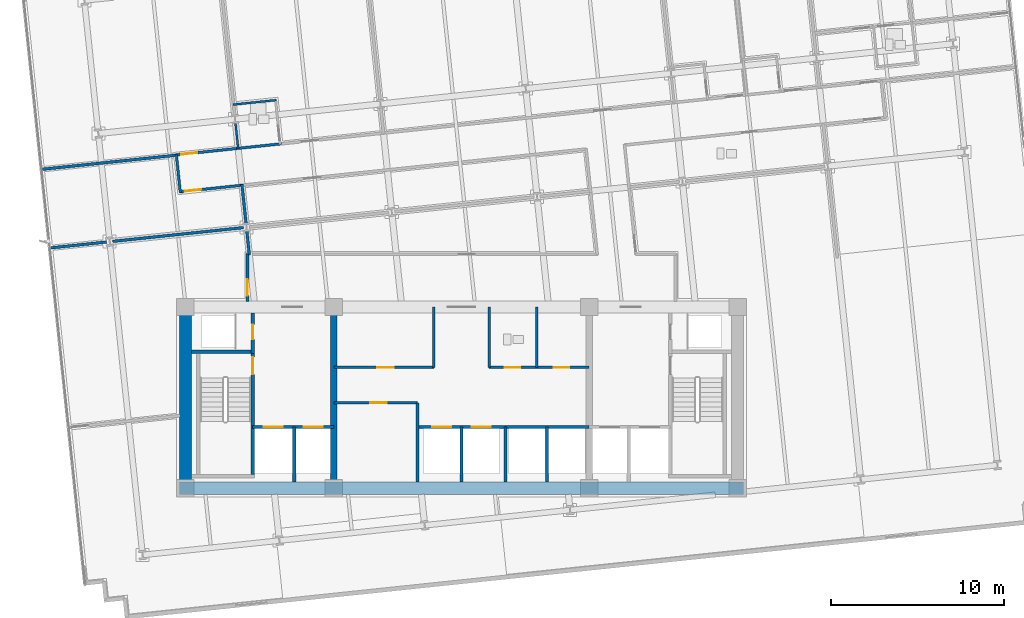
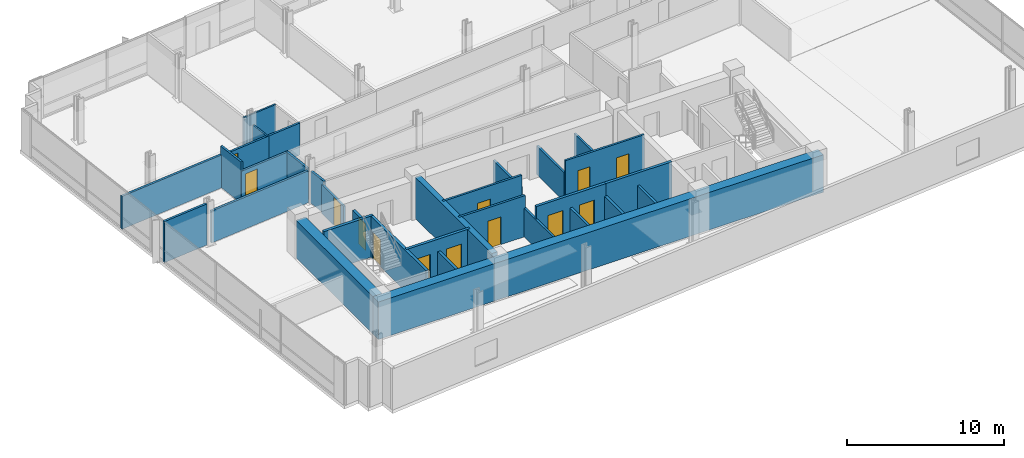
# One storey, part 13 of 20: 32 walls, 13 doors, 13 openings.
"""IFC4 building model written with IfcOpenShell, lengths in metres."""

from ifc_helpers import new_model, si_unit, direction, frame, frame_2d, origin, place, context, subcontext, project, spatial, rectangle, extrude, material, layer, layer_set, type_object, element, fill, save


model = new_model("IFC4")

# Units and contexts
model_context = context("Model", 3, precision=1e-05, world=origin(), true_north=direction((0.0, 1.0)))
body_context = subcontext(model_context, "Body", "Model", "MODEL_VIEW")
ifc_project = project(units=[si_unit("LENGTHUNIT", "METRE"), si_unit("AREAUNIT", "SQUARE_METRE"), si_unit("VOLUMEUNIT", "CUBIC_METRE"), si_unit("PLANEANGLEUNIT", "RADIAN"), si_unit("MASSUNIT", "GRAM", prefix="KILO")], contexts=[model_context])

# Site, building, storey
site_placement = place(None, origin())
site = spatial("IfcSite", under=ifc_project, at=site_placement, CompositionType="ELEMENT")
building_placement = place(site_placement, origin())
building = spatial("IfcBuilding", under=site, at=building_placement, Name="Solmavex Isthmus Hotel", CompositionType="ELEMENT")
storey_placement = place(building_placement, frame((0.0, 0.0, 109.800048828125)))
storey = spatial("IfcBuildingStorey", under=building, at=storey_placement, Name="L29", CompositionType="ELEMENT", Elevation=109.800048828125)

# Wall, opening, door
ifc_material_1 = material(Name="Gypsum plasterboard lining", Category="gypsum")
ifc_layer_1 = layer(ifc_material_1, 0.159912109375)
ifc_layer_set_1 = layer_set([ifc_layer_1], Name="Gypsum plasterboard lining")
wall_type_1 = type_object("IfcWallType", Name="IW-COMP-160", PredefinedType="PARTITIONING", material=ifc_layer_set_1)
wall_1_placement = place(storey_placement, frame((-7.39990234375, -8.050048828125, 0.0), z_axis=(0.0, 0.0, 1.0), x_axis=(1.0, 0.0, 0.0)))
wall_1 = element("IfcWall", 1, at=wall_1_placement, inside=storey, type_object=wall_type_1, Name="Interior Partition Wall W-L29-REC-PLL-N", PredefinedType="PARTITIONING", context=body_context, shape_type="SweptSolid", body=[
    extrude(rectangle(XDim=4.849853515625, YDim=0.159912109375, at=frame_2d((2.4248046875, 0.0))), origin(), (0.0, 0.0, 1.0), 3.18994140625),
])
opening_1_placement = place(wall_1_placement, frame((2.125, 0.0, 0.0)))
opening_1 = element("IfcOpeningElement", 2, at=opening_1_placement, cuts=wall_1, Name="Opening ID-C095", PredefinedType="OPENING", context=body_context, shape_type="SweptSolid", body=[
    extrude(rectangle(XDim=0.949951171875, YDim=2.14990234375, at=frame_2d((0.47509765625, 1.074951171875))), frame((0.0, 0.08984375, 0.0), z_axis=(0.0, -1.0, 0.0), x_axis=(1.0, 0.0, 0.0)), (0.0, 0.0, 1.0), 0.179931640625),
])
ifc_material_2 = material(Name="Hardwood timber", Category="wood")
door_type_1 = type_object("IfcDoorType", Name="IDR-FD60-0950", OperationType="NOTDEFINED", PredefinedType="DOOR", material=ifc_material_2)
door_1_placement = place(opening_1_placement, origin())
door_1 = element("IfcDoor", 3, at=door_1_placement, inside=storey, type_object=door_type_1, Name="Linen Reserve Door L29", OperationType="SINGLE_SWING_LEFT", OverallHeight=2.14990234375, OverallWidth=0.949951171875, PredefinedType="DOOR", context=body_context, shape_type="SweptSolid", body=[
    extrude(rectangle(XDim=0.949951171875, YDim=2.14990234375, at=frame_2d((0.47509765625, 1.074951171875))), frame((0.0, 0.02490234375, 0.0), z_axis=(0.0, -1.0, 0.0), x_axis=(1.0, 0.0, 0.0)), (0.0, 0.0, 1.0), 0.050048828125),
])
fill(opening_1, door_1)

# Walls
wall_2_placement = place(storey_placement, frame((-2.550048828125, -12.64990234375, 0.0), z_axis=(0.0, 0.0, 1.0), x_axis=(0.0, 1.0, 0.0)))
element("IfcWall", 4, at=wall_2_placement, inside=storey, type_object=wall_type_1, Name="Interior Partition Wall W-L29-REC-PLL-E", PredefinedType="PARTITIONING", context=body_context, shape_type="SweptSolid", body=[
    extrude(rectangle(XDim=4.599853515625, YDim=0.159912109375, at=frame_2d((2.2998046875, 0.0))), origin(), (0.0, 0.0, 1.0), 2.224853515625),
])
wall_3_placement = place(storey_placement, frame((-16.47802734375, 6.301513671875, 0.0), z_axis=(0.0, 0.0, 1.0), x_axis=(-0.994519786396, -0.104548526856, 0.0)))
element("IfcWall", 5, at=wall_3_placement, inside=storey, type_object=wall_type_1, Name="Interior Partition Wall W-L29-P027", PredefinedType="PARTITIONING", context=body_context, shape_type="SweptSolid", body=[
    extrude(rectangle(XDim=7.927978515625, YDim=0.159912109375, at=frame_2d((3.9638671875, 0.0))), origin(), (0.0, 0.0, 1.0), 2.55322265625),
])
wall_4_placement = place(storey_placement, frame((-12.718994140625, 4.594970703125, 0.0), z_axis=(0.0, 0.0, 1.0), x_axis=(0.104569435529, -0.994517588157, 0.0)))
element("IfcWall", 6, at=wall_4_placement, inside=storey, type_object=wall_type_1, Name="Interior Partition Wall W-L29-P057", PredefinedType="PARTITIONING", context=body_context, shape_type="SweptSolid", body=[
    extrude(rectangle(XDim=2.313720703125, YDim=0.159912109375, at=frame_2d((1.15673828125, 0.0))), origin(), (0.0, 0.0, 1.0), 2.4794921875),
])
wall_5_placement = place(storey_placement, frame((-20.558349609375, 1.267333984375, 0.0), z_axis=(0.0, 0.0, 1.0), x_axis=(-0.99451904707, -0.10455555946, 0.0)))
element("IfcWall", 7, at=wall_5_placement, inside=storey, type_object=wall_type_1, Name="Interior Partition Wall W-L29-P058", PredefinedType="PARTITIONING", context=body_context, shape_type="SweptSolid", body=[
    extrude(rectangle(XDim=3.34375, YDim=0.159912109375, at=frame_2d((1.671875, 0.0))), origin(), (0.0, 0.0, 1.0), 3.18994140625),
])
wall_6_placement = place(storey_placement, frame((-12.634033203125, 2.10009765625, 0.0), z_axis=(0.0, 0.0, 1.0), x_axis=(-0.994524056968, -0.104507894972, 0.0)))
element("IfcWall", 8, at=wall_6_placement, inside=storey, type_object=wall_type_1, Name="Interior Partition Wall W-L29-P059", PredefinedType="PARTITIONING", context=body_context, shape_type="SweptSolid", body=[
    extrude(rectangle(XDim=7.61572265625, YDim=0.159912109375, at=frame_2d((3.807861328125, 0.0))), origin(), (0.0, 0.0, 1.0), 2.4794921875),
])
wall_7_placement = place(storey_placement, frame((-12.289794921875, 0.51025390625, 0.0), z_axis=(0.0, 0.0, 1.0), x_axis=(-0.104534854339, 0.994521223619, 0.0)))
element("IfcWall", 9, at=wall_7_placement, inside=storey, type_object=wall_type_1, Name="Interior Partition Wall W-L29-P063", PredefinedType="PARTITIONING", context=body_context, shape_type="SweptSolid", body=[
    extrude(rectangle(XDim=1.44091796875, YDim=0.159912109375, at=frame_2d((0.720458984375, 0.0))), origin(), (0.0, 0.0, 1.0), 2.4794921875),
])

# Wall, opening, door
ifc_layer_2 = layer(ifc_material_1, 0.14990234375)
ifc_layer_set_2 = layer_set([ifc_layer_2], Name="Gypsum plasterboard lining")
wall_type_2 = type_object("IfcWallType", Name="IW-CORR-150", PredefinedType="PARTITIONING", material=ifc_layer_set_2)
wall_8_placement = place(storey_placement, frame((-7.39990234375, -6.0, 0.0), z_axis=(0.0, 0.0, 1.0), x_axis=(1.0, 0.0, 0.0)))
wall_8 = element("IfcWall", 10, at=wall_8_placement, inside=storey, type_object=wall_type_2, Name="Interior Partition Wall W-L29-BOH-WS", PredefinedType="PARTITIONING", context=body_context, shape_type="SweptSolid", body=[
    extrude(rectangle(XDim=5.7998046875, YDim=0.14990234375, at=frame_2d((2.89990234375, 0.0))), origin(), (0.0, 0.0, 1.0), 3.18994140625),
])
opening_2_placement = place(wall_8_placement, frame((2.52490234375, 0.0, 0.0)))
opening_2 = element("IfcOpeningElement", 11, at=opening_2_placement, cuts=wall_8, Name="Opening ID-C095", PredefinedType="OPENING", context=body_context, shape_type="SweptSolid", body=[
    extrude(rectangle(XDim=0.949951171875, YDim=2.14990234375, at=frame_2d((0.47509765625, 1.074951171875))), frame((0.0, 0.0849609375, 0.0), z_axis=(0.0, -1.0, 0.0), x_axis=(1.0, 0.0, 0.0)), (0.0, 0.0, 1.0), 0.169921875),
])
door_2_placement = place(opening_2_placement, frame((0.949951171875, 0.0, 0.0), z_axis=(0.0, 0.0, 1.0), x_axis=(-1.0, 0.0, 0.0)))
door_2 = element("IfcDoor", 12, at=door_2_placement, inside=storey, type_object=door_type_1, Name="Housekeeping Room Door L29", OperationType="SINGLE_SWING_LEFT", OverallHeight=2.14990234375, OverallWidth=0.949951171875, PredefinedType="DOOR", context=body_context, shape_type="SweptSolid", body=[
    extrude(rectangle(XDim=0.949951171875, YDim=2.14990234375, at=frame_2d((0.47509765625, 1.074951171875))), frame((0.0, 0.02490234375, 0.0), z_axis=(0.0, -1.0, 0.0), x_axis=(1.0, 0.0, 0.0)), (0.0, 0.0, 1.0), 0.050048828125),
])
fill(opening_2, door_2)

# Wall
wall_9_placement = place(storey_placement, frame((-1.60009765625, -6.0, 0.0), z_axis=(0.0, 0.0, 1.0), x_axis=(0.0, 1.0, 0.0)))
element("IfcWall", 13, at=wall_9_placement, inside=storey, type_object=wall_type_2, Name="Interior Partition Wall W-L29-BOH-WE", PredefinedType="PARTITIONING", context=body_context, shape_type="SweptSolid", body=[
    extrude(rectangle(XDim=3.5, YDim=0.14990234375, at=frame_2d((1.75, 0.0))), origin(), (0.0, 0.0, 1.0), 2.224853515625),
])

# Wall, openings, doors
wall_10_placement = place(storey_placement, frame((1.60009765625, -6.0, 0.0), z_axis=(0.0, 0.0, 1.0), x_axis=(1.0, 0.0, 0.0)))
wall_10 = element("IfcWall", 14, at=wall_10_placement, inside=storey, type_object=wall_type_2, Name="Interior Partition Wall W-L29-BOH-ES", PredefinedType="PARTITIONING", context=body_context, shape_type="SweptSolid", body=[
    extrude(rectangle(XDim=5.7998046875, YDim=0.14990234375, at=frame_2d((2.89990234375, 0.0))), origin(), (0.0, 0.0, 1.0), 3.18994140625),
])
opening_3_placement = place(wall_10_placement, frame((0.89990234375, 0.0, 0.0)))
opening_3 = element("IfcOpeningElement", 15, at=opening_3_placement, cuts=wall_10, Name="Opening ID-C090", PredefinedType="OPENING", context=body_context, shape_type="SweptSolid", body=[
    extrude(rectangle(XDim=0.89990234375, YDim=2.10009765625, at=frame_2d((0.449951171875, 1.050048828125))), frame((0.0, 0.0849609375, 0.0), z_axis=(0.0, -1.0, 0.0), x_axis=(1.0, 0.0, 0.0)), (0.0, 0.0, 1.0), 0.169921875),
])
opening_4_placement = place(wall_10_placement, frame((3.75, 0.0, 0.0)))
opening_4 = element("IfcOpeningElement", 16, at=opening_4_placement, cuts=wall_10, Name="Opening ID-C090", PredefinedType="OPENING", context=body_context, shape_type="SweptSolid", body=[
    extrude(rectangle(XDim=0.89990234375, YDim=2.10009765625, at=frame_2d((0.449951171875, 1.050048828125))), frame((0.0, 0.0849609375, 0.0), z_axis=(0.0, -1.0, 0.0), x_axis=(1.0, 0.0, 0.0)), (0.0, 0.0, 1.0), 0.169921875),
])
door_type_2 = type_object("IfcDoorType", Name="IDR-FD60-0900", OperationType="NOTDEFINED", PredefinedType="DOOR", material=ifc_material_2)
door_3_placement = place(opening_3_placement, frame((0.89990234375, 0.0, 0.0), z_axis=(0.0, 0.0, 1.0), x_axis=(-1.0, 0.0, 0.0)))
door_3 = element("IfcDoor", 17, at=door_3_placement, inside=storey, type_object=door_type_2, Name="Staff WC Door L29", OperationType="SINGLE_SWING_RIGHT", OverallHeight=2.10009765625, OverallWidth=0.89990234375, PredefinedType="DOOR", context=body_context, shape_type="SweptSolid", body=[
    extrude(rectangle(XDim=0.89990234375, YDim=2.10009765625, at=frame_2d((0.449951171875, 1.050048828125))), frame((0.0, 0.02490234375, 0.0), z_axis=(0.0, -1.0, 0.0), x_axis=(1.0, 0.0, 0.0)), (0.0, 0.0, 1.0), 0.050048828125),
])
fill(opening_3, door_3)
door_4_placement = place(opening_4_placement, frame((0.89990234375, 0.0, 0.0), z_axis=(0.0, 0.0, 1.0), x_axis=(-1.0, 0.0, 0.0)))
door_4 = element("IfcDoor", 18, at=door_4_placement, inside=storey, type_object=door_type_2, Name="Pantry Door L29", OperationType="SINGLE_SWING_LEFT", OverallHeight=2.10009765625, OverallWidth=0.89990234375, PredefinedType="DOOR", context=body_context, shape_type="SweptSolid", body=[
    extrude(rectangle(XDim=0.89990234375, YDim=2.10009765625, at=frame_2d((0.449951171875, 1.050048828125))), frame((0.0, 0.02490234375, 0.0), z_axis=(0.0, -1.0, 0.0), x_axis=(1.0, 0.0, 0.0)), (0.0, 0.0, 1.0), 0.050048828125),
])
fill(opening_4, door_4)

# Wall
wall_11_placement = place(storey_placement, frame((1.60009765625, -6.0, 0.0), z_axis=(0.0, 0.0, 1.0), x_axis=(0.0, 1.0, 0.0)))
element("IfcWall", 19, at=wall_11_placement, inside=storey, type_object=wall_type_2, Name="Interior Partition Wall W-L29-BOH-EW", PredefinedType="PARTITIONING", context=body_context, shape_type="SweptSolid", body=[
    extrude(rectangle(XDim=3.5, YDim=0.14990234375, at=frame_2d((1.75, 0.0))), origin(), (0.0, 0.0, 1.0), 2.224853515625),
])

# Wall, opening, door
wall_12_placement = place(storey_placement, frame((-16.5595703125, 6.31298828125, 0.0), z_axis=(0.0, 0.0, 1.0), x_axis=(0.994525204328, 0.104496975826, 0.0)))
wall_12 = element("IfcWall", 20, at=wall_12_placement, inside=storey, type_object=wall_type_2, Name="Interior Partition Wall W-L29-P001", PredefinedType="PARTITIONING", context=body_context, shape_type="SweptSolid", body=[
    extrude(rectangle(XDim=3.7216796875, YDim=0.14990234375, at=frame_2d((1.86083984375, 0.0))), origin(), (0.0, 0.0, 1.0), 2.4794921875),
])
opening_5_placement = place(wall_12_placement, frame((0.315185546875, 0.0, 0.0)))
opening_5 = element("IfcOpeningElement", 21, at=opening_5_placement, cuts=wall_12, Name="Opening ID-C095", PredefinedType="OPENING", context=body_context, shape_type="SweptSolid", body=[
    extrude(rectangle(XDim=0.949951171875, YDim=2.14990234375, at=frame_2d((0.47509765625, 1.074951171875))), frame((0.0, 0.0849609375, 0.0), z_axis=(0.0, -1.0, 0.0), x_axis=(1.0, 0.0, 0.0)), (0.0, 0.0, 1.0), 0.169921875),
])
door_5_placement = place(opening_5_placement, frame((0.949951171875, 0.0, 0.0), z_axis=(0.0, 0.0, 1.0), x_axis=(-1.0, 0.0, 0.0)))
door_5 = element("IfcDoor", 22, at=door_5_placement, inside=storey, type_object=door_type_1, Name="Executive Hospitality Lounge Door L29-01", OperationType="SINGLE_SWING_LEFT", OverallHeight=2.14990234375, OverallWidth=0.949951171875, PredefinedType="DOOR", context=body_context, shape_type="SweptSolid", body=[
    extrude(rectangle(XDim=0.949951171875, YDim=2.14990234375, at=frame_2d((0.47509765625, 1.074951171875))), frame((0.0, 0.02490234375, 0.0), z_axis=(0.0, -1.0, 0.0), x_axis=(1.0, 0.0, 0.0)), (0.0, 0.0, 1.0), 0.050048828125),
])
fill(opening_5, door_5)

# Wall
wall_13_placement = place(storey_placement, frame((-13.021240234375, 6.684814453125, 0.0), z_axis=(0.0, 0.0, 1.0), x_axis=(0.994524370789, 0.104504908528, 0.0)))
element("IfcWall", 23, at=wall_13_placement, inside=storey, type_object=wall_type_2, Name="Interior Partition Wall W-L29-P003", PredefinedType="PARTITIONING", context=body_context, shape_type="SweptSolid", body=[
    extrude(rectangle(XDim=2.6142578125, YDim=0.14990234375, at=frame_2d((1.30712890625, 0.0))), origin(), (0.0, 0.0, 1.0), 2.4794921875),
])

# Wall, opening, door
wall_14_placement = place(storey_placement, frame((-12.63330078125, 4.563720703125, 0.0), z_axis=(0.0, 0.0, 1.0), x_axis=(-0.994525920558, -0.104490159046, 0.0)))
wall_14 = element("IfcWall", 24, at=wall_14_placement, inside=storey, type_object=wall_type_2, Name="Interior Partition Wall W-L29-P012", PredefinedType="PARTITIONING", context=body_context, shape_type="SweptSolid", body=[
    extrude(rectangle(XDim=3.721923828125, YDim=0.14990234375, at=frame_2d((1.86083984375, 0.0))), origin(), (0.0, 0.0, 1.0), 2.4794921875),
])
opening_6_placement = place(wall_14_placement, frame((2.456787109375, 0.0, 0.0)))
opening_6 = element("IfcOpeningElement", 25, at=opening_6_placement, cuts=wall_14, Name="Opening ID-C095", PredefinedType="OPENING", context=body_context, shape_type="SweptSolid", body=[
    extrude(rectangle(XDim=0.949951171875, YDim=2.14990234375, at=frame_2d((0.47509765625, 1.074951171875))), frame((0.0, 0.0849609375, 0.0), z_axis=(0.0, -1.0, 0.0), x_axis=(1.0, 0.0, 0.0)), (0.0, 0.0, 1.0), 0.169921875),
])
door_6_placement = place(opening_6_placement, frame((0.949951171875, 0.0, 0.0), z_axis=(0.0, 0.0, 1.0), x_axis=(-1.0, 0.0, 0.0)))
door_6 = element("IfcDoor", 26, at=door_6_placement, inside=storey, type_object=door_type_1, Name="Executive Meeting Room Door L29-14", OperationType="SINGLE_SWING_RIGHT", OverallHeight=2.14990234375, OverallWidth=0.949951171875, PredefinedType="DOOR", context=body_context, shape_type="SweptSolid", body=[
    extrude(rectangle(XDim=0.949951171875, YDim=2.14990234375, at=frame_2d((0.47509765625, 1.074951171875))), frame((0.0, 0.02490234375, 0.0), z_axis=(0.0, -1.0, 0.0), x_axis=(1.0, 0.0, 0.0)), (0.0, 0.0, 1.0), 0.050048828125),
])
fill(opening_6, door_6)

# Wall
wall_15_placement = place(storey_placement, frame((-16.291015625, 4.13916015625, 0.0), z_axis=(0.0, 0.0, 1.0), x_axis=(-0.104512255544, 0.994523598735, 0.0)))
element("IfcWall", 27, at=wall_15_placement, inside=storey, type_object=wall_type_2, Name="Interior Partition Wall W-L29-P013", PredefinedType="PARTITIONING", context=body_context, shape_type="SweptSolid", body=[
    extrude(rectangle(XDim=2.2099609375, YDim=0.14990234375, at=frame_2d((1.10498046875, 0.0))), origin(), (0.0, 0.0, 1.0), 3.18994140625),
])

# Wall, opening, door
wall_16_placement = place(storey_placement, frame((-12.39990234375, -2.18994140625, 0.0), z_axis=(0.0, 0.0, 1.0), x_axis=(0.0, 1.0, 0.0)))
wall_16 = element("IfcWall", 28, at=wall_16_placement, inside=storey, type_object=wall_type_2, Name="Interior Partition Wall W-L29-P018", PredefinedType="PARTITIONING", context=body_context, shape_type="SweptSolid", body=[
    extrude(rectangle(XDim=2.780029296875, YDim=0.14990234375, at=frame_2d((1.39013671875, 0.0))), origin(), (0.0, 0.0, 1.0), 2.224853515625),
])
opening_7_placement = place(wall_16_placement, frame((0.347900390625, 0.0, 0.0)))
opening_7 = element("IfcOpeningElement", 29, at=opening_7_placement, cuts=wall_16, Name="Opening ID-C095", PredefinedType="OPENING", context=body_context, shape_type="SweptSolid", body=[
    extrude(rectangle(XDim=0.949951171875, YDim=2.14990234375, at=frame_2d((0.47509765625, 1.074951171875))), frame((0.0, 0.0849609375, 0.0), z_axis=(0.0, -1.0, 0.0), x_axis=(1.0, 0.0, 0.0)), (0.0, 0.0, 1.0), 0.169921875),
])
door_7_placement = place(opening_7_placement, frame((0.949951171875, 0.0, 0.0), z_axis=(0.0, 0.0, 1.0), x_axis=(-1.0, 0.0, 0.0)))
door_7 = element("IfcDoor", 30, at=door_7_placement, inside=storey, type_object=door_type_1, Name="Club Reading Library Door L29-17", OperationType="SINGLE_SWING_LEFT", OverallHeight=2.14990234375, OverallWidth=0.949951171875, PredefinedType="DOOR", context=body_context, shape_type="SweptSolid", body=[
    extrude(rectangle(XDim=0.949951171875, YDim=2.14990234375, at=frame_2d((0.47509765625, 1.074951171875))), frame((0.0, 0.02490234375, 0.0), z_axis=(0.0, -1.0, 0.0), x_axis=(1.0, 0.0, 0.0)), (0.0, 0.0, 1.0), 0.050048828125),
])
fill(opening_7, door_7)

# Walls
ifc_layer_3 = layer(ifc_material_1, 0.1201171875)
ifc_layer_set_3 = layer_set([ifc_layer_3], Name="Gypsum plasterboard lining")
wall_type_3 = type_object("IfcWallType", Name="IW-PART-120", PredefinedType="PARTITIONING", material=ifc_layer_set_3)
wall_17_placement = place(storey_placement, frame((4.35009765625, -6.0, 0.0), z_axis=(0.0, 0.0, 1.0), x_axis=(0.0, 1.0, 0.0)))
element("IfcWall", 31, at=wall_17_placement, inside=storey, type_object=wall_type_3, Name="Interior Partition Wall W-L29-BOH-EM0", PredefinedType="PARTITIONING", context=body_context, shape_type="SweptSolid", body=[
    extrude(rectangle(XDim=3.5, YDim=0.14990234375, at=frame_2d((1.75, 0.0))), origin(), (0.0, 0.0, 1.0), 2.224853515625),
])
wall_18_placement = place(storey_placement, frame((-13.0986328125, 8.206787109375, 0.0), z_axis=(0.0, 0.0, 1.0), x_axis=(0.104578999325, -0.994516582516, 0.0)))
element("IfcWall", 32, at=wall_18_placement, inside=storey, type_object=wall_type_3, Name="Interior Partition Wall W-L29-P026", PredefinedType="PARTITIONING", context=body_context, shape_type="SweptSolid", body=[
    extrude(rectangle(XDim=1.561767578125, YDim=0.1201171875, at=frame_2d((0.78076171875, 0.0))), origin(), (0.0, 0.0, 1.0), 2.4794921875),
])
wall_19_placement = place(storey_placement, frame((-10.729736328125, 9.48974609375, 0.0), z_axis=(0.0, 0.0, 1.0), x_axis=(-0.994523944136, -0.104508968707, 0.0)))
element("IfcWall", 33, at=wall_19_placement, inside=storey, type_object=wall_type_3, Name="Interior Partition Wall W-L29-P029", PredefinedType="PARTITIONING", context=body_context, shape_type="SweptSolid", body=[
    extrude(rectangle(XDim=2.530029296875, YDim=0.1201171875, at=frame_2d((1.26513671875, 0.0))), origin(), (0.0, 0.0, 1.0), 2.4794921875),
])
ifc_material_3 = material(Name="Concrete C40/50", Category="concrete")
ifc_layer_4 = layer(ifc_material_3, 0.179931640625)
ifc_layer_set_4 = layer_set([ifc_layer_4], Name="Concrete C40/50")
wall_type_4 = type_object("IfcWallType", Name="IW-SHAFT-180", PredefinedType="PARTITIONING", material=ifc_layer_set_4)
for number, where, z_axis, x_axis, name in (
    (34, (0.0, -12.64990234375, 0.0), (0.0, 0.0, 1.0), (0.0, 1.0, 0.0), "Interior Partition Wall W-L29-SH-PLM-M"),
    (35, (4.949951171875, -12.64990234375, 0.0), (0.0, 0.0, 1.0), (0.0, 1.0, 0.0), "Interior Partition Wall W-L29-SH-PLH-M"),
):
    element("IfcWall", number, at=place(storey_placement, frame(where, z_axis=z_axis, x_axis=x_axis)), inside=storey, type_object=wall_type_4, Name=name, PredefinedType="PARTITIONING", context=body_context, shape_type="SweptSolid", body=[
        extrude(rectangle(XDim=3.199951171875, YDim=0.179931640625, at=frame_2d((1.60009765625, 0.0))), origin(), (0.0, 0.0, 1.0), 2.224853515625),
    ])

# Wall, opening, door
ifc_layer_5 = layer(ifc_material_3, 0.199951171875)
ifc_layer_set_5 = layer_set([ifc_layer_5], Name="Concrete C40/50")
wall_type_5 = type_object("IfcWallType", Name="IW-SHAFT-200", PredefinedType="PARTITIONING", material=ifc_layer_set_5)
wall_20_placement = place(storey_placement, frame((-12.10009765625, -5.199951171875, 0.0), z_axis=(0.0, 0.0, 1.0), x_axis=(0.0, 1.0, 0.0)))
wall_20 = element("IfcWall", 36, at=wall_20_placement, inside=storey, type_object=wall_type_5, Name="Interior Partition Wall W-L29-RSW-E", PredefinedType="PARTITIONING", context=body_context, shape_type="SweptSolid", body=[
    extrude(rectangle(XDim=2.349853515625, YDim=0.199951171875, at=frame_2d((1.1748046875, 0.0))), origin(), (0.0, 0.0, 1.0), 2.224853515625),
])
opening_8_placement = place(wall_20_placement, frame((0.824951171875, 0.0, 0.0)))
opening_8 = element("IfcOpeningElement", 37, at=opening_8_placement, cuts=wall_20, Name="Opening ID-R085", PredefinedType="OPENING", context=body_context, shape_type="SweptSolid", body=[
    extrude(rectangle(XDim=0.85009765625, YDim=2.050048828125, at=frame_2d((0.425048828125, 1.02490234375))), frame((0.0, 0.10986328125, 0.0), z_axis=(0.0, -1.0, 0.0), x_axis=(1.0, 0.0, 0.0)), (0.0, 0.0, 1.0), 0.219970703125),
])
ifc_material_4 = material(Name="Steel ASTM A500 Grade C", Category="steel")
door_type_3 = type_object("IfcDoorType", Name="IDR-FD60-0850", OperationType="NOTDEFINED", PredefinedType="DOOR", material=ifc_material_4)
door_8_placement = place(opening_8_placement, origin())
door_8 = element("IfcDoor", 38, at=door_8_placement, inside=storey, type_object=door_type_3, Name="Electrical Riser Door L29", OperationType="SINGLE_SWING_RIGHT", OverallHeight=2.050048828125, OverallWidth=0.85009765625, PredefinedType="DOOR", context=body_context, shape_type="SweptSolid", body=[
    extrude(rectangle(XDim=0.85009765625, YDim=2.050048828125, at=frame_2d((0.425048828125, 1.02490234375))), frame((0.0, 0.02490234375, 0.0), z_axis=(0.0, -1.0, 0.0), x_axis=(1.0, 0.0, 0.0)), (0.0, 0.0, 1.0), 0.050048828125),
])
fill(opening_8, door_8)

# Wall, openings, doors
wall_21_placement = place(storey_placement, frame((-12.10009765625, -9.449951171875, 0.0), z_axis=(0.0, 0.0, 1.0), x_axis=(1.0, 0.0, 0.0)))
wall_21 = element("IfcWall", 39, at=wall_21_placement, inside=storey, type_object=wall_type_5, Name="Interior Partition Wall W-L29-FFLW-S", PredefinedType="PARTITIONING", context=body_context, shape_type="SweptSolid", body=[
    extrude(rectangle(XDim=4.7001953125, YDim=0.199951171875, at=frame_2d((2.35009765625, 0.0))), origin(), (0.0, 0.0, 1.0), 3.18994140625),
])
opening_9_placement = place(wall_21_placement, frame((0.64990234375, 0.0, 0.0)))
opening_9 = element("IfcOpeningElement", 40, at=opening_9_placement, cuts=wall_21, Name="Opening LD-FF", PredefinedType="OPENING", context=body_context, shape_type="SweptSolid", body=[
    extrude(rectangle(XDim=1.10009765625, YDim=2.199951171875, at=frame_2d((0.550048828125, 1.10009765625))), frame((0.0, 0.10986328125, 0.0), z_axis=(0.0, -1.0, 0.0), x_axis=(1.0, 0.0, 0.0)), (0.0, 0.0, 1.0), 0.219970703125),
])
opening_10_placement = place(wall_21_placement, frame((2.949951171875, 0.0, 0.0)))
opening_10 = element("IfcOpeningElement", 41, at=opening_10_placement, cuts=wall_21, Name="Opening LD-SV", PredefinedType="OPENING", context=body_context, shape_type="SweptSolid", body=[
    extrude(rectangle(XDim=1.10009765625, YDim=2.199951171875, at=frame_2d((0.550048828125, 1.10009765625))), frame((0.0, 0.10986328125, 0.0), z_axis=(0.0, -1.0, 0.0), x_axis=(1.0, 0.0, 0.0)), (0.0, 0.0, 1.0), 0.219970703125),
])
ifc_material_5 = material(Name="Stainless steel 316", Category="steel")
door_type_4 = type_object("IfcDoorType", Name="LDR-FF-1100", OperationType="NOTDEFINED", PredefinedType="DOOR", material=ifc_material_5)
door_9_placement = place(opening_9_placement, origin())
door_9 = element("IfcDoor", 42, at=door_9_placement, inside=storey, type_object=door_type_4, Name="Lift Landing Door FFL-1 L29", OperationType="SLIDING_TO_LEFT", OverallHeight=2.199951171875, OverallWidth=1.10009765625, PredefinedType="DOOR", context=body_context, shape_type="SweptSolid", body=[
    extrude(rectangle(XDim=1.10009765625, YDim=2.199951171875, at=frame_2d((0.550048828125, 1.10009765625))), frame((0.0, 0.02490234375, 0.0), z_axis=(0.0, -1.0, 0.0), x_axis=(1.0, 0.0, 0.0)), (0.0, 0.0, 1.0), 0.050048828125),
])
fill(opening_9, door_9)
door_type_5 = type_object("IfcDoorType", Name="LDR-SV-1100", OperationType="NOTDEFINED", PredefinedType="DOOR", material=ifc_material_5)
door_10_placement = place(opening_10_placement, origin())
door_10 = element("IfcDoor", 43, at=door_10_placement, inside=storey, type_object=door_type_5, Name="Lift Landing Door SVL-1 L29", OperationType="SLIDING_TO_RIGHT", OverallHeight=2.199951171875, OverallWidth=1.10009765625, PredefinedType="DOOR", context=body_context, shape_type="SweptSolid", body=[
    extrude(rectangle(XDim=1.10009765625, YDim=2.199951171875, at=frame_2d((0.550048828125, 1.10009765625))), frame((0.0, 0.02490234375, 0.0), z_axis=(0.0, -1.0, 0.0), x_axis=(1.0, 0.0, 0.0)), (0.0, 0.0, 1.0), 0.050048828125),
])
fill(opening_10, door_10)

# Wall
wall_22_placement = place(storey_placement, frame((-9.699951171875, -12.64990234375, 0.0), z_axis=(0.0, 0.0, 1.0), x_axis=(0.0, 1.0, 0.0)))
element("IfcWall", 44, at=wall_22_placement, inside=storey, type_object=wall_type_5, Name="Interior Partition Wall W-L29-FFLW-M", PredefinedType="PARTITIONING", context=body_context, shape_type="SweptSolid", body=[
    extrude(rectangle(XDim=3.199951171875, YDim=0.199951171875, at=frame_2d((1.60009765625, 0.0))), origin(), (0.0, 0.0, 1.0), 2.224853515625),
])

# Wall, openings, doors
wall_23_placement = place(storey_placement, frame((-2.550048828125, -9.449951171875, 0.0), z_axis=(0.0, 0.0, 1.0), x_axis=(1.0, 0.0, 0.0)))
wall_23 = element("IfcWall", 45, at=wall_23_placement, inside=storey, type_object=wall_type_5, Name="Interior Partition Wall W-L29-SH-PLM", PredefinedType="PARTITIONING", context=body_context, shape_type="SweptSolid", body=[
    extrude(rectangle(XDim=5.10009765625, YDim=0.199951171875, at=frame_2d((2.550048828125, 0.0))), origin(), (0.0, 0.0, 1.0), 3.18994140625),
])
opening_11_placement = place(wall_23_placement, frame((0.85009765625, 0.0, 0.0)))
opening_11 = element("IfcOpeningElement", 46, at=opening_11_placement, cuts=wall_23, Name="Opening LD-PL", PredefinedType="OPENING", context=body_context, shape_type="SweptSolid", body=[
    extrude(rectangle(XDim=1.10009765625, YDim=2.199951171875, at=frame_2d((0.550048828125, 1.10009765625))), frame((0.0, 0.10986328125, 0.0), z_axis=(0.0, -1.0, 0.0), x_axis=(1.0, 0.0, 0.0)), (0.0, 0.0, 1.0), 0.219970703125),
])
opening_12_placement = place(wall_23_placement, frame((3.14990234375, 0.0, 0.0)))
opening_12 = element("IfcOpeningElement", 47, at=opening_12_placement, cuts=wall_23, Name="Opening LD-PL", PredefinedType="OPENING", context=body_context, shape_type="SweptSolid", body=[
    extrude(rectangle(XDim=1.10009765625, YDim=2.199951171875, at=frame_2d((0.550048828125, 1.10009765625))), frame((0.0, 0.10986328125, 0.0), z_axis=(0.0, -1.0, 0.0), x_axis=(1.0, 0.0, 0.0)), (0.0, 0.0, 1.0), 0.219970703125),
])
door_type_6 = type_object("IfcDoorType", Name="LDR-PL-1100", OperationType="NOTDEFINED", PredefinedType="DOOR", material=ifc_material_5)
door_11_placement = place(opening_11_placement, origin())
door_11 = element("IfcDoor", 48, at=door_11_placement, inside=storey, type_object=door_type_6, Name="Lift Landing Door PLM1 L29", OperationType="SLIDING_TO_RIGHT", OverallHeight=2.199951171875, OverallWidth=1.10009765625, PredefinedType="DOOR", context=body_context, shape_type="SweptSolid", body=[
    extrude(rectangle(XDim=1.10009765625, YDim=2.199951171875, at=frame_2d((0.550048828125, 1.10009765625))), frame((0.0, 0.02490234375, 0.0), z_axis=(0.0, -1.0, 0.0), x_axis=(1.0, 0.0, 0.0)), (0.0, 0.0, 1.0), 0.050048828125),
])
fill(opening_11, door_11)
door_12_placement = place(opening_12_placement, origin())
door_12 = element("IfcDoor", 49, at=door_12_placement, inside=storey, type_object=door_type_6, Name="Lift Landing Door PLM2 L29", OperationType="SLIDING_TO_RIGHT", OverallHeight=2.199951171875, OverallWidth=1.10009765625, PredefinedType="DOOR", context=body_context, shape_type="SweptSolid", body=[
    extrude(rectangle(XDim=1.10009765625, YDim=2.199951171875, at=frame_2d((0.550048828125, 1.10009765625))), frame((0.0, 0.02490234375, 0.0), z_axis=(0.0, -1.0, 0.0), x_axis=(1.0, 0.0, 0.0)), (0.0, 0.0, 1.0), 0.050048828125),
])
fill(opening_12, door_12)

# Walls
wall_24_placement = place(storey_placement, frame((2.550048828125, -12.64990234375, 0.0), z_axis=(0.0, 0.0, 1.0), x_axis=(0.0, 1.0, 0.0)))
element("IfcWall", 50, at=wall_24_placement, inside=storey, type_object=wall_type_5, Name="Interior Partition Wall W-L29-SH-PLM-E", PredefinedType="PARTITIONING", context=body_context, shape_type="SweptSolid", body=[
    extrude(rectangle(XDim=3.199951171875, YDim=0.199951171875, at=frame_2d((1.60009765625, 0.0))), origin(), (0.0, 0.0, 1.0), 2.224853515625),
])
wall_25_placement = place(storey_placement, frame((2.550048828125, -9.449951171875, 0.0), z_axis=(0.0, 0.0, 1.0), x_axis=(1.0, 0.0, 0.0)))
element("IfcWall", 51, at=wall_25_placement, inside=storey, type_object=wall_type_5, Name="Interior Partition Wall W-L29-SH-PLH", PredefinedType="PARTITIONING", context=body_context, shape_type="SweptSolid", body=[
    extrude(rectangle(XDim=4.849853515625, YDim=0.199951171875, at=frame_2d((2.4248046875, 0.0))), origin(), (0.0, 0.0, 1.0), 3.18994140625),
])
ifc_material_6 = material(Name="Concrete C60/75", Category="concrete")
ifc_layer_6 = layer(ifc_material_6, 0.39990234375)
ifc_layer_set_6 = layer_set([ifc_layer_6], Name="Concrete C60/75")
wall_type_6 = type_object("IfcWallType", Name="WALL-CW-400M", PredefinedType="SHEAR", material=ifc_layer_set_6)
wall_26_placement = place(storey_placement, frame((-7.39990234375, -12.64990234375, 0.0), z_axis=(0.0, 0.0, 1.0), x_axis=(0.0, 1.0, 0.0)))
element("IfcWall", 52, at=wall_26_placement, inside=storey, type_object=wall_type_6, Name="Core Cross Shear Wall C1 L29", PredefinedType="SHEAR", context=body_context, shape_type="SweptSolid", body=[
    extrude(rectangle(XDim=9.7998046875, YDim=0.39990234375, at=frame_2d((4.89990234375, 0.0))), origin(), (0.0, 0.0, 1.0), 3.18994140625),
])
ifc_layer_7 = layer(ifc_material_6, 0.699951171875)
ifc_layer_set_7 = layer_set([ifc_layer_7], Name="Concrete C60/75")
wall_type_7 = type_object("IfcWallType", Name="WALL-CW-700", PredefinedType="SHEAR", material=ifc_layer_set_7)
wall_27_placement = place(storey_placement, frame((-16.35009765625, -13.0, 0.0), z_axis=(0.0, 0.0, 1.0), x_axis=(1.0, 0.0, 0.0)))
element("IfcWall", 53, at=wall_27_placement, inside=storey, type_object=wall_type_7, Name="Core Shear Wall South L29", PredefinedType="SHEAR", context=body_context, shape_type="SweptSolid", body=[
    extrude(rectangle(XDim=32.7001953125, YDim=0.699951171875, at=frame_2d((16.35009765625, 0.0))), origin(), (0.0, 0.0, 1.0), 2.909912109375),
])
wall_28_placement = place(storey_placement, frame((-16.0, -12.64990234375, 0.0), z_axis=(0.0, 0.0, 1.0), x_axis=(0.0, 1.0, 0.0)))
element("IfcWall", 54, at=wall_28_placement, inside=storey, type_object=wall_type_7, Name="Core Shear Wall West L29", PredefinedType="SHEAR", context=body_context, shape_type="SweptSolid", body=[
    extrude(rectangle(XDim=9.7998046875, YDim=0.699951171875, at=frame_2d((4.89990234375, 0.0))), origin(), (0.0, 0.0, 1.0), 2.909912109375),
])
ifc_layer_8 = layer(ifc_material_3, 0.199951171875)
ifc_layer_set_8 = layer_set([ifc_layer_8], Name="Concrete C40/50")
wall_type_8 = type_object("IfcWallType", Name="WALL-SW-200", PredefinedType="SOLIDWALL", material=ifc_layer_set_8)
wall_29_placement = place(storey_placement, frame((-15.64990234375, -5.10009765625, 0.0), z_axis=(0.0, 0.0, 1.0), x_axis=(1.0, 0.0, 0.0)))
element("IfcWall", 55, at=wall_29_placement, inside=storey, type_object=wall_type_8, Name="Stairwell Structural Wall SW-L29-ST1-N", PredefinedType="SOLIDWALL", context=body_context, shape_type="SweptSolid", body=[
    extrude(rectangle(XDim=3.64990234375, YDim=0.199951171875, at=frame_2d((1.824951171875, 0.0))), origin(), (0.0, 0.0, 1.0), 3.18994140625),
])

# Wall, opening, door
wall_30_placement = place(storey_placement, frame((-12.10009765625, -12.199951171875, 0.0), z_axis=(0.0, 0.0, 1.0), x_axis=(0.0, 1.0, 0.0)))
wall_30 = element("IfcWall", 56, at=wall_30_placement, inside=storey, type_object=wall_type_8, Name="Stairwell Structural Wall SW-L29-ST1-E", PredefinedType="SOLIDWALL", context=body_context, shape_type="SweptSolid", body=[
    extrude(rectangle(XDim=7.0, YDim=0.199951171875, at=frame_2d((3.5, 0.0))), origin(), (0.0, 0.0, 1.0), 3.18994140625),
])
opening_13_placement = place(wall_30_placement, frame((5.800048828125, 0.0, 0.0)))
opening_13 = element("IfcOpeningElement", 57, at=opening_13_placement, cuts=wall_30, Name="Opening ID-F100", PredefinedType="OPENING", context=body_context, shape_type="SweptSolid", body=[
    extrude(rectangle(XDim=1.0, YDim=2.10009765625, at=frame_2d((0.5, 1.050048828125))), frame((0.0, 0.10986328125, 0.0), z_axis=(0.0, -1.0, 0.0), x_axis=(1.0, 0.0, 0.0)), (0.0, 0.0, 1.0), 0.219970703125),
])
door_type_7 = type_object("IfcDoorType", Name="IDR-FD90-1000", OperationType="NOTDEFINED", PredefinedType="DOOR", material=ifc_material_4)
door_13_placement = place(opening_13_placement, frame((1.0, 0.0, 0.0), z_axis=(0.0, 0.0, 1.0), x_axis=(-1.0, 0.0, 0.0)))
door_13 = element("IfcDoor", 58, at=door_13_placement, inside=storey, type_object=door_type_7, Name="Stair ST-1 Fire Door L29", OperationType="SINGLE_SWING_LEFT", OverallHeight=2.10009765625, OverallWidth=1.0, PredefinedType="DOOR", context=body_context, shape_type="SweptSolid", body=[
    extrude(rectangle(XDim=1.0, YDim=2.10009765625, at=frame_2d((0.5, 1.050048828125))), frame((0.0, 0.02490234375, 0.0), z_axis=(0.0, -1.0, 0.0), x_axis=(1.0, 0.0, 0.0)), (0.0, 0.0, 1.0), 0.050048828125),
])
fill(opening_13, door_13)

save(model, "model.ifc")
